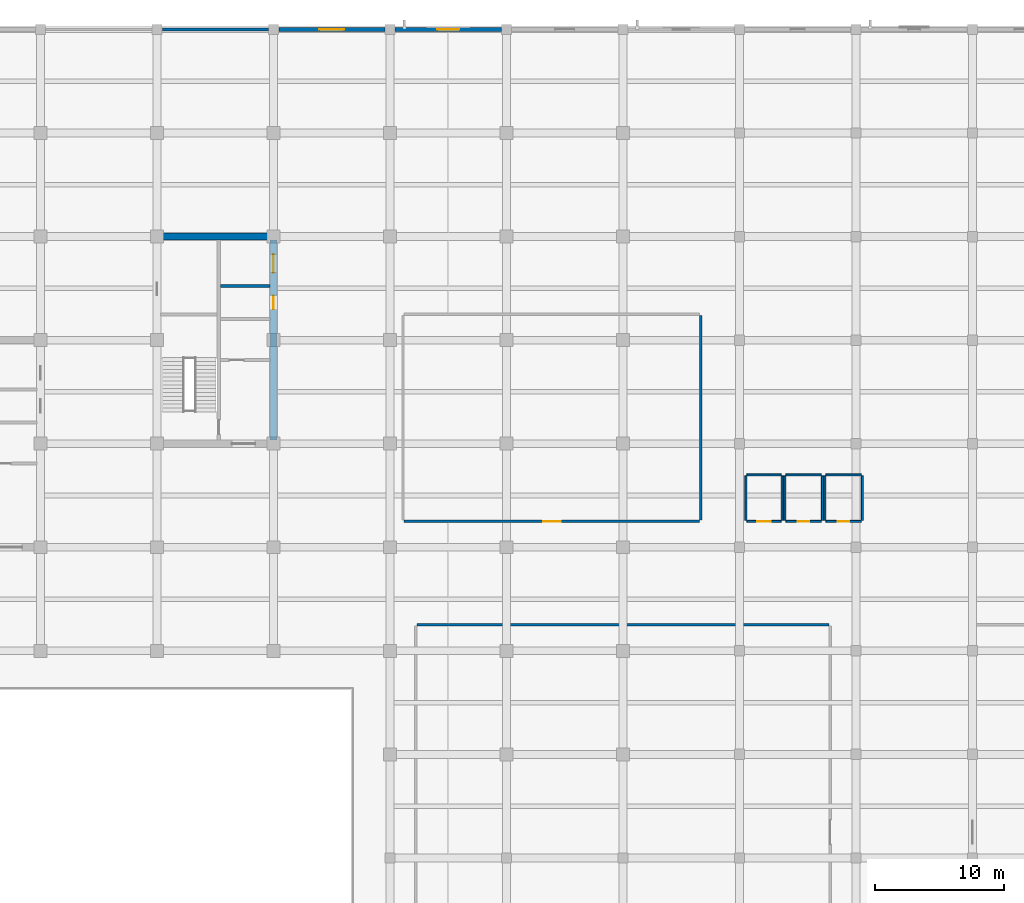
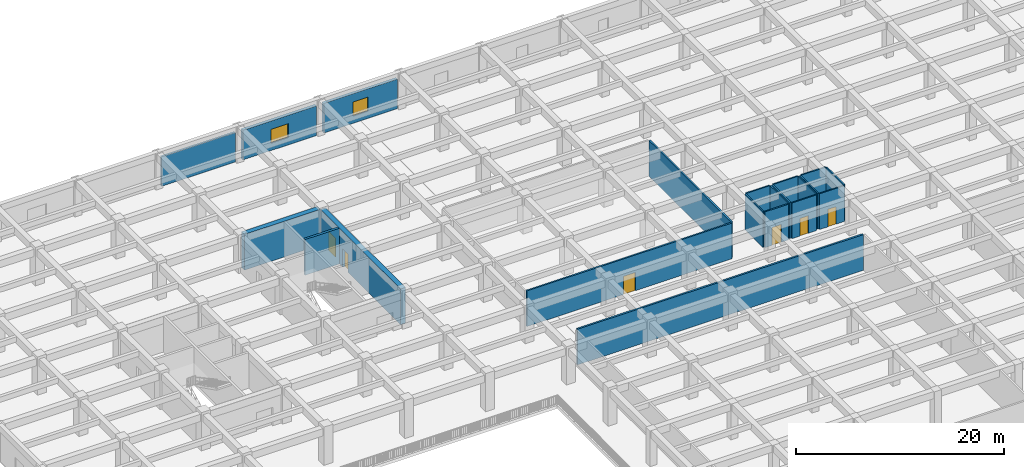
# One storey, part 14 of 32: 21 walls, 6 doors, 2 windows, 8 openings.
"""IFC4 building model written with IfcOpenShell, lengths in metres."""

from ifc_helpers import new_model, si_unit, direction, frame, frame_2d, origin, place, context, subcontext, project, spatial, rectangle, extrude, material, layer, layer_set, type_object, element, fill, save


model = new_model("IFC4")

# Units and contexts
model_context = context("Model", 3, precision=1e-05, world=origin(), true_north=direction((0.0, 1.0)))
body_context = subcontext(model_context, "Body", "Model", "MODEL_VIEW")
ifc_project = project(units=[si_unit("LENGTHUNIT", "METRE"), si_unit("AREAUNIT", "SQUARE_METRE"), si_unit("VOLUMEUNIT", "CUBIC_METRE"), si_unit("PLANEANGLEUNIT", "RADIAN"), si_unit("MASSUNIT", "GRAM", prefix="KILO")], contexts=[model_context])

# Site, building, storey
site_placement = place(None, origin())
site = spatial("IfcSite", under=ifc_project, at=site_placement, CompositionType="ELEMENT")
building_placement = place(site_placement, origin())
building = spatial("IfcBuilding", under=site, at=building_placement, Name="Zaverband Oceanarium and Marine Research Institute", CompositionType="ELEMENT")
storey_placement = place(building_placement, frame((0.0, 0.0, 13.5)))
storey = spatial("IfcBuildingStorey", under=building, at=storey_placement, Name="L03", CompositionType="ELEMENT", Elevation=13.5)

# Walls
ifc_material_1 = material(Name="Concrete C40/50 precast", Category="concrete")
ifc_layer_1 = layer(ifc_material_1, 0.2099609375, Name="Concrete C40/50 precast")
ifc_layer_set_1 = layer_set([ifc_layer_1], Name="Concrete C40/50 precast")
wall_type_1 = type_object("IfcWallType", Name="CLS-210", PredefinedType="ELEMENTEDWALL", material=ifc_layer_set_1)
wall_1_placement = place(storey_placement, frame((36.405029296875, 120.0, 0.0), z_axis=(0.0, 0.0, 1.0), x_axis=(1.0, 0.0, 0.0)))
element("IfcWall", 1, at=wall_1_placement, inside=storey, type_object=wall_type_1, Name="Pierced concrete screen CLS-210", PredefinedType="ELEMENTEDWALL", context=body_context, shape_type="SweptSolid", body=[
    extrude(rectangle(XDim=8.18994140625, YDim=0.2099609375, at=frame_2d((4.094970703125, 0.0))), origin(), (0.0, 0.0, 1.0), 3.47998046875),
])
ifc_material_2 = material(Name="Concrete C50/60", Category="concrete")
ifc_layer_2 = layer(ifc_material_2, 0.550048828125, Name="Concrete C50/60")
ifc_layer_set_2 = layer_set([ifc_layer_2], Name="Concrete C50/60")
wall_type_2 = type_object("IfcWallType", Name="CW-01", PredefinedType="SHEAR", material=ifc_layer_set_2)
wall_2_placement = place(storey_placement, frame((36.27490234375, 104.0, 0.0), z_axis=(0.0, 0.0, 1.0), x_axis=(1.0, 0.0, 0.0)))
element("IfcWall", 2, at=wall_2_placement, inside=storey, type_object=wall_type_2, Name="Structural shear wall CW-01", PredefinedType="SHEAR", context=body_context, shape_type="SweptSolid", body=[
    extrude(rectangle(XDim=8.4501953125, YDim=0.550048828125, at=frame_2d((4.22509765625, 0.0))), origin(), (0.0, 0.0, 1.0), 4.199951171875),
])

# Wall, openings, doors
wall_3_placement = place(storey_placement, frame((45.0, 88.27490234375, 0.0), z_axis=(0.0, 0.0, 1.0), x_axis=(0.0, 1.0, 0.0)))
wall_3 = element("IfcWall", 3, at=wall_3_placement, inside=storey, type_object=wall_type_2, Name="Structural shear wall CW-01", PredefinedType="SHEAR", context=body_context, shape_type="SweptSolid", body=[
    extrude(rectangle(XDim=15.4501953125, YDim=0.550048828125, at=frame_2d((7.72509765625, 0.0))), origin(), (0.0, 0.0, 1.0), 4.199951171875),
])
opening_1_placement = place(wall_3_placement, frame((10.10009765625, 0.0, 0.0)))
opening_1 = element("IfcOpeningElement", 4, at=opening_1_placement, cuts=wall_3, Name="Opening LD-02", PredefinedType="OPENING", context=body_context, shape_type="SweptSolid", body=[
    extrude(rectangle(XDim=1.050048828125, YDim=2.1201171875, at=frame_2d((0.52490234375, 1.06005859375))), frame((0.0, 0.287109375, 0.0), z_axis=(0.0, -1.0, 0.0), x_axis=(1.0, 0.0, 0.0)), (0.0, 0.0, 1.0), 0.573974609375),
])
opening_2_placement = place(wall_3_placement, frame((12.949951171875, 0.0, 0.0)))
opening_2 = element("IfcOpeningElement", 5, at=opening_2_placement, cuts=wall_3, Name="Opening LD-03", PredefinedType="OPENING", context=body_context, shape_type="SweptSolid", body=[
    extrude(rectangle(XDim=1.39990234375, YDim=2.199951171875, at=frame_2d((0.699951171875, 1.10009765625))), frame((0.0, 0.287109375, 0.0), z_axis=(0.0, -1.0, 0.0), x_axis=(1.0, 0.0, 0.0)), (0.0, 0.0, 1.0), 0.573974609375),
])
ifc_material_3 = material(Name="Steel S355", Category="steel")
door_type_1 = type_object("IfcDoorType", Name="LD-02", OperationType="DOUBLE_DOOR_SLIDING", PredefinedType="DOOR", material=ifc_material_3)
door_1_placement = place(opening_1_placement, origin())
door_1 = element("IfcDoor", 6, at=door_1_placement, inside=storey, type_object=door_type_1, Name="Passenger lift sliding landing door LD-02", OperationType="DOUBLE_DOOR_SLIDING", OverallHeight=2.1201171875, OverallWidth=1.050048828125, PredefinedType="DOOR", context=body_context, shape_type="SweptSolid", body=[
    extrude(rectangle(XDim=1.050048828125, YDim=2.1201171875, at=frame_2d((0.52490234375, 1.06005859375))), frame((0.0, 0.02490234375, 0.0), z_axis=(0.0, -1.0, 0.0), x_axis=(1.0, 0.0, 0.0)), (0.0, 0.0, 1.0), 0.050048828125),
])
fill(opening_1, door_1)
door_type_2 = type_object("IfcDoorType", Name="LD-03", OperationType="DOUBLE_DOOR_SLIDING", PredefinedType="DOOR", material=ifc_material_3)
door_2_placement = place(opening_2_placement, origin())
door_2 = element("IfcDoor", 7, at=door_2_placement, inside=storey, type_object=door_type_2, Name="Specimen goods lift sliding landing door LD-03", OperationType="DOUBLE_DOOR_SLIDING", OverallHeight=2.199951171875, OverallWidth=1.39990234375, PredefinedType="DOOR", context=body_context, shape_type="SweptSolid", body=[
    extrude(rectangle(XDim=1.39990234375, YDim=2.199951171875, at=frame_2d((0.699951171875, 1.10009765625))), frame((0.0, 0.02490234375, 0.0), z_axis=(0.0, -1.0, 0.0), x_axis=(1.0, 0.0, 0.0)), (0.0, 0.0, 1.0), 0.050048828125),
])
fill(opening_2, door_2)

# Wall, opening, window
ifc_layer_3 = layer(ifc_material_1, 0.31005859375, Name="Concrete C40/50 precast")
ifc_layer_set_3 = layer_set([ifc_layer_3], Name="Concrete C40/50 precast")
wall_type_3 = type_object("IfcWallType", Name="EW-310", PredefinedType="STANDARD", material=ifc_layer_set_3)
wall_4_placement = place(storey_placement, frame((54.405029296875, 120.0, 0.0), z_axis=(0.0, 0.0, 1.0), x_axis=(1.0, 0.0, 0.0)))
wall_4 = element("IfcWall", 8, at=wall_4_placement, inside=storey, type_object=wall_type_3, Name="Exterior infill wall EW-310", PredefinedType="STANDARD", context=body_context, shape_type="SweptSolid", body=[
    extrude(rectangle(XDim=8.18994140625, YDim=0.31005859375, at=frame_2d((4.094970703125, 0.0))), origin(), (0.0, 0.0, 1.0), 3.47998046875),
])
opening_3_placement = place(wall_4_placement, frame((3.2451171875, 0.0, 0.85009765625)))
opening_3 = element("IfcOpeningElement", 9, at=opening_3_placement, cuts=wall_4, Name="Opening WN-1700x1650", PredefinedType="OPENING", context=body_context, shape_type="SweptSolid", body=[
    extrude(rectangle(XDim=1.699951171875, YDim=1.64990234375, at=frame_2d((0.85009765625, 0.824951171875))), frame((0.0, 0.1669921875, 0.0), z_axis=(0.0, -1.0, 0.0), x_axis=(1.0, 0.0, 0.0)), (0.0, 0.0, 1.0), 0.333984375),
])
ifc_material_4 = material(Name="Thermally broken anodized aluminium and solar-control glass", Category="aluminium")
window_type_1 = type_object("IfcWindowType", Name="WN-1700x1650", PartitioningType="SINGLE_PANEL", PredefinedType="WINDOW", material=ifc_material_4)
window_1_placement = place(opening_3_placement, origin())
window_1 = element("IfcWindow", 10, at=window_1_placement, inside=storey, type_object=window_type_1, Name="Fixed / casement exterior window WN-1700x1650", OverallHeight=1.64990234375, OverallWidth=1.699951171875, PartitioningType="SINGLE_PANEL", PredefinedType="WINDOW", context=body_context, shape_type="SweptSolid", body=[
    extrude(rectangle(XDim=1.699951171875, YDim=1.64990234375, at=frame_2d((0.85009765625, 0.824951171875))), frame((0.0, 0.030029296875, 0.0), z_axis=(0.0, -1.0, 0.0), x_axis=(1.0, 0.0, 0.0)), (0.0, 0.0, 1.0), 0.06005859375),
])
fill(opening_3, window_1)

ifc_layer_4 = layer(ifc_material_1, 0.340087890625, Name="Concrete C40/50 precast")
ifc_layer_set_4 = layer_set([ifc_layer_4], Name="Concrete C40/50 precast")
wall_type_4 = type_object("IfcWallType", Name="EW-340", PredefinedType="STANDARD", material=ifc_layer_set_4)
wall_5_placement = place(storey_placement, frame((45.405029296875, 120.0, 0.0), z_axis=(0.0, 0.0, 1.0), x_axis=(1.0, 0.0, 0.0)))
wall_5 = element("IfcWall", 11, at=wall_5_placement, inside=storey, type_object=wall_type_4, Name="Exterior infill wall EW-340", PredefinedType="STANDARD", context=body_context, shape_type="SweptSolid", body=[
    extrude(rectangle(XDim=8.18994140625, YDim=0.340087890625, at=frame_2d((4.094970703125, 0.0))), origin(), (0.0, 0.0, 1.0), 3.47998046875),
])
opening_4_placement = place(wall_5_placement, frame((3.14501953125, 0.0, 0.85009765625)))
opening_4 = element("IfcOpeningElement", 12, at=opening_4_placement, cuts=wall_5, Name="Opening WN-1900x1650", PredefinedType="OPENING", context=body_context, shape_type="SweptSolid", body=[
    extrude(rectangle(XDim=1.89990234375, YDim=1.64990234375, at=frame_2d((0.949951171875, 0.824951171875))), frame((0.0, 0.18212890625, 0.0), z_axis=(0.0, -1.0, 0.0), x_axis=(1.0, 0.0, 0.0)), (0.0, 0.0, 1.0), 0.364013671875),
])
window_type_2 = type_object("IfcWindowType", Name="WN-1900x1650", PartitioningType="SINGLE_PANEL", PredefinedType="WINDOW", material=ifc_material_4)
window_2_placement = place(opening_4_placement, origin())
window_2 = element("IfcWindow", 13, at=window_2_placement, inside=storey, type_object=window_type_2, Name="Fixed / casement exterior window WN-1900x1650", OverallHeight=1.64990234375, OverallWidth=1.89990234375, PartitioningType="SINGLE_PANEL", PredefinedType="WINDOW", context=body_context, shape_type="SweptSolid", body=[
    extrude(rectangle(XDim=1.89990234375, YDim=1.64990234375, at=frame_2d((0.949951171875, 0.824951171875))), frame((0.0, 0.030029296875, 0.0), z_axis=(0.0, -1.0, 0.0), x_axis=(1.0, 0.0, 0.0)), (0.0, 0.0, 1.0), 0.06005859375),
])
fill(opening_4, window_2)

# Wall, opening, door
ifc_material_5 = material(Name="Ceramic-tiled wet-room blockwork", Category="masonry")
ifc_layer_5 = layer(ifc_material_5, 0.14990234375, Name="Ceramic-tiled wet-room blockwork")
ifc_layer_set_5 = layer_set([ifc_layer_5], Name="Ceramic-tiled wet-room blockwork")
wall_type_5 = type_object("IfcWallType", Name="PT-150-WC", PredefinedType="PARTITIONING", material=ifc_layer_set_5)
wall_6_placement = place(storey_placement, frame((81.574951171875, 82.0, 0.0), z_axis=(0.0, 0.0, 1.0), x_axis=(1.0, 0.0, 0.0)))
wall_6 = element("IfcWall", 14, at=wall_6_placement, inside=storey, type_object=wall_type_5, Name="Internal partition PT-150-WC", PredefinedType="PARTITIONING", context=body_context, shape_type="SweptSolid", body=[
    extrude(rectangle(XDim=2.650146484375, YDim=0.14990234375, at=frame_2d((1.3251953125, 0.0))), origin(), (0.0, 0.0, 1.0), 4.199951171875),
])
opening_5_placement = place(wall_6_placement, frame((0.81494140625, 0.0, 0.0)))
opening_5 = element("IfcOpeningElement", 15, at=opening_5_placement, cuts=wall_6, Name="Opening ID-1020x2100", PredefinedType="OPENING", context=body_context, shape_type="SweptSolid", body=[
    extrude(rectangle(XDim=1.02001953125, YDim=2.10009765625, at=frame_2d((0.510009765625, 1.050048828125))), frame((0.0, 0.0869140625, 0.0), z_axis=(0.0, -1.0, 0.0), x_axis=(1.0, 0.0, 0.0)), (0.0, 0.0, 1.0), 0.173828125),
])
ifc_material_6 = material(Name="Hardwood-veneered acoustic timber", Category="wood")
door_type_3 = type_object("IfcDoorType", Name="ID-1020x2100", OperationType="NOTDEFINED", PredefinedType="DOOR", material=ifc_material_6)
door_3_placement = place(opening_5_placement, frame((1.02001953125, 0.0, 0.0), z_axis=(0.0, 0.0, 1.0), x_axis=(-1.0, 0.0, 0.0)))
door_3 = element("IfcDoor", 16, at=door_3_placement, inside=storey, type_object=door_type_3, Name="Accessible WC outward-swing door ID-1020x2100", OperationType="SINGLE_SWING_LEFT", OverallHeight=2.10009765625, OverallWidth=1.02001953125, PredefinedType="DOOR", context=body_context, shape_type="SweptSolid", body=[
    extrude(rectangle(XDim=1.02001953125, YDim=2.10009765625, at=frame_2d((0.510009765625, 1.050048828125))), frame((0.0, 0.02490234375, 0.0), z_axis=(0.0, -1.0, 0.0), x_axis=(1.0, 0.0, 0.0)), (0.0, 0.0, 1.0), 0.050048828125),
])
fill(opening_5, door_3)

# Walls
wall_7_placement = place(storey_placement, frame((81.574951171875, 85.60009765625, 0.0), z_axis=(0.0, 0.0, 1.0), x_axis=(1.0, 0.0, 0.0)))
element("IfcWall", 17, at=wall_7_placement, inside=storey, type_object=wall_type_5, Name="Internal partition PT-150-WC", PredefinedType="PARTITIONING", context=body_context, shape_type="SweptSolid", body=[
    extrude(rectangle(XDim=2.650146484375, YDim=0.14990234375, at=frame_2d((1.3251953125, 0.0))), origin(), (0.0, 0.0, 1.0), 4.199951171875),
])
for number, where, z_axis, x_axis, name in (
    (18, (81.5, 82.074951171875, 0.0), (0.0, 0.0, 1.0), (0.0, 1.0, 0.0), "Internal partition PT-150-WC"),
    (19, (84.300048828125, 82.074951171875, 0.0), (0.0, 0.0, 1.0), (0.0, 1.0, 0.0), "Internal partition PT-150-WC"),
):
    element("IfcWall", number, at=place(storey_placement, frame(where, z_axis=z_axis, x_axis=x_axis)), inside=storey, type_object=wall_type_5, Name=name, PredefinedType="PARTITIONING", context=body_context, shape_type="SweptSolid", body=[
        extrude(rectangle(XDim=3.449951171875, YDim=0.14990234375, at=frame_2d((1.72509765625, 0.0))), origin(), (0.0, 0.0, 1.0), 4.199951171875),
    ])

# Wall, opening, door
wall_8_placement = place(storey_placement, frame((84.574951171875, 82.0, 0.0), z_axis=(0.0, 0.0, 1.0), x_axis=(1.0, 0.0, 0.0)))
wall_8 = element("IfcWall", 20, at=wall_8_placement, inside=storey, type_object=wall_type_5, Name="Internal partition PT-150-WC", PredefinedType="PARTITIONING", context=body_context, shape_type="SweptSolid", body=[
    extrude(rectangle(XDim=2.75, YDim=0.14990234375, at=frame_2d((1.375, 0.0))), origin(), (0.0, 0.0, 1.0), 4.199951171875),
])
opening_6_placement = place(wall_8_placement, frame((0.919921875, 0.0, 0.0)))
opening_6 = element("IfcOpeningElement", 21, at=opening_6_placement, cuts=wall_8, Name="Opening ID-910x2080", PredefinedType="OPENING", context=body_context, shape_type="SweptSolid", body=[
    extrude(rectangle(XDim=0.909912109375, YDim=2.080078125, at=frame_2d((0.455078125, 1.0400390625))), frame((0.0, 0.0869140625, 0.0), z_axis=(0.0, -1.0, 0.0), x_axis=(1.0, 0.0, 0.0)), (0.0, 0.0, 1.0), 0.173828125),
])
door_type_4 = type_object("IfcDoorType", Name="ID-910x2080", OperationType="NOTDEFINED", PredefinedType="DOOR", material=ifc_material_6)
door_4_placement = place(opening_6_placement, origin())
door_4 = element("IfcDoor", 22, at=door_4_placement, inside=storey, type_object=door_type_4, Name="Sanitary washroom entrance door ID-910x2080", OperationType="SINGLE_SWING_RIGHT", OverallHeight=2.080078125, OverallWidth=0.909912109375, PredefinedType="DOOR", context=body_context, shape_type="SweptSolid", body=[
    extrude(rectangle(XDim=0.909912109375, YDim=2.080078125, at=frame_2d((0.455078125, 1.0400390625))), frame((0.0, 0.02490234375, 0.0), z_axis=(0.0, -1.0, 0.0), x_axis=(1.0, 0.0, 0.0)), (0.0, 0.0, 1.0), 0.050048828125),
])
fill(opening_6, door_4)

# Walls
wall_9_placement = place(storey_placement, frame((84.574951171875, 85.60009765625, 0.0), z_axis=(0.0, 0.0, 1.0), x_axis=(1.0, 0.0, 0.0)))
element("IfcWall", 23, at=wall_9_placement, inside=storey, type_object=wall_type_5, Name="Internal partition PT-150-WC", PredefinedType="PARTITIONING", context=body_context, shape_type="SweptSolid", body=[
    extrude(rectangle(XDim=2.75, YDim=0.14990234375, at=frame_2d((1.375, 0.0))), origin(), (0.0, 0.0, 1.0), 4.199951171875),
])
for number, where, z_axis, x_axis, name in (
    (24, (84.5, 82.074951171875, 0.0), (0.0, 0.0, 1.0), (0.0, 1.0, 0.0), "Internal partition PT-150-WC"),
    (25, (87.39990234375, 82.074951171875, 0.0), (0.0, 0.0, 1.0), (0.0, 1.0, 0.0), "Internal partition PT-150-WC"),
):
    element("IfcWall", number, at=place(storey_placement, frame(where, z_axis=z_axis, x_axis=x_axis)), inside=storey, type_object=wall_type_5, Name=name, PredefinedType="PARTITIONING", context=body_context, shape_type="SweptSolid", body=[
        extrude(rectangle(XDim=3.449951171875, YDim=0.14990234375, at=frame_2d((1.72509765625, 0.0))), origin(), (0.0, 0.0, 1.0), 4.199951171875),
    ])

# Wall, opening, door
wall_10_placement = place(storey_placement, frame((87.675048828125, 82.0, 0.0), z_axis=(0.0, 0.0, 1.0), x_axis=(1.0, 0.0, 0.0)))
wall_10 = element("IfcWall", 26, at=wall_10_placement, inside=storey, type_object=wall_type_5, Name="Internal partition PT-150-WC", PredefinedType="PARTITIONING", context=body_context, shape_type="SweptSolid", body=[
    extrude(rectangle(XDim=2.75, YDim=0.14990234375, at=frame_2d((1.375, 0.0))), origin(), (0.0, 0.0, 1.0), 4.199951171875),
])
opening_7_placement = place(wall_10_placement, frame((0.929931640625, 0.0, 0.0)))
opening_7 = element("IfcOpeningElement", 27, at=opening_7_placement, cuts=wall_10, Name="Opening ID-890x2060", PredefinedType="OPENING", context=body_context, shape_type="SweptSolid", body=[
    extrude(rectangle(XDim=0.889892578125, YDim=2.06005859375, at=frame_2d((0.44482421875, 1.030029296875))), frame((0.0, 0.0869140625, 0.0), z_axis=(0.0, -1.0, 0.0), x_axis=(1.0, 0.0, 0.0)), (0.0, 0.0, 1.0), 0.173828125),
])
door_type_5 = type_object("IfcDoorType", Name="ID-890x2060", OperationType="NOTDEFINED", PredefinedType="DOOR", material=ifc_material_6)
door_5_placement = place(opening_7_placement, origin())
door_5 = element("IfcDoor", 28, at=door_5_placement, inside=storey, type_object=door_type_5, Name="Staff WC door ID-890x2060", OperationType="SINGLE_SWING_LEFT", OverallHeight=2.06005859375, OverallWidth=0.889892578125, PredefinedType="DOOR", context=body_context, shape_type="SweptSolid", body=[
    extrude(rectangle(XDim=0.889892578125, YDim=2.06005859375, at=frame_2d((0.44482421875, 1.030029296875))), frame((0.0, 0.02490234375, 0.0), z_axis=(0.0, -1.0, 0.0), x_axis=(1.0, 0.0, 0.0)), (0.0, 0.0, 1.0), 0.050048828125),
])
fill(opening_7, door_5)

# Walls
wall_11_placement = place(storey_placement, frame((87.675048828125, 85.60009765625, 0.0), z_axis=(0.0, 0.0, 1.0), x_axis=(1.0, 0.0, 0.0)))
element("IfcWall", 29, at=wall_11_placement, inside=storey, type_object=wall_type_5, Name="Internal partition PT-150-WC", PredefinedType="PARTITIONING", context=body_context, shape_type="SweptSolid", body=[
    extrude(rectangle(XDim=2.75, YDim=0.14990234375, at=frame_2d((1.375, 0.0))), origin(), (0.0, 0.0, 1.0), 4.199951171875),
])
for number, where, z_axis, x_axis, name in (
    (30, (87.60009765625, 82.074951171875, 0.0), (0.0, 0.0, 1.0), (0.0, 1.0, 0.0), "Internal partition PT-150-WC"),
    (31, (90.5, 82.074951171875, 0.0), (0.0, 0.0, 1.0), (0.0, 1.0, 0.0), "Internal partition PT-150-WC"),
):
    element("IfcWall", number, at=place(storey_placement, frame(where, z_axis=z_axis, x_axis=x_axis)), inside=storey, type_object=wall_type_5, Name=name, PredefinedType="PARTITIONING", context=body_context, shape_type="SweptSolid", body=[
        extrude(rectangle(XDim=3.449951171875, YDim=0.14990234375, at=frame_2d((1.72509765625, 0.0))), origin(), (0.0, 0.0, 1.0), 4.199951171875),
    ])

# Wall, opening, door
ifc_material_7 = material(Name="Moisture-resistant laboratory blockwork", Category="masonry")
ifc_layer_6 = layer(ifc_material_7, 0.179931640625, Name="Moisture-resistant laboratory blockwork")
ifc_layer_set_6 = layer_set([ifc_layer_6], Name="Moisture-resistant laboratory blockwork")
wall_type_6 = type_object("IfcWallType", Name="PT-180-LB", PredefinedType="PARTITIONING", material=ifc_layer_set_6)
wall_12_placement = place(storey_placement, frame((55.090087890625, 82.0, 0.0), z_axis=(0.0, 0.0, 1.0), x_axis=(1.0, 0.0, 0.0)))
wall_12 = element("IfcWall", 32, at=wall_12_placement, inside=storey, type_object=wall_type_6, Name="Internal partition PT-180-LB", PredefinedType="PARTITIONING", context=body_context, shape_type="SweptSolid", body=[
    extrude(rectangle(XDim=22.81982421875, YDim=0.179931640625, at=frame_2d((11.409912109375, 0.0))), origin(), (0.0, 0.0, 1.0), 4.199951171875),
])
opening_8_placement = place(wall_12_placement, frame((10.735107421875, 0.0, 0.0)))
opening_8 = element("IfcOpeningElement", 33, at=opening_8_placement, cuts=wall_12, Name="Opening ID-1350x2140", PredefinedType="OPENING", context=body_context, shape_type="SweptSolid", body=[
    extrude(rectangle(XDim=1.35009765625, YDim=2.139892578125, at=frame_2d((0.675048828125, 1.06982421875))), frame((0.0, 0.10205078125, 0.0), z_axis=(0.0, -1.0, 0.0), x_axis=(1.0, 0.0, 0.0)), (0.0, 0.0, 1.0), 0.203857421875),
])
door_type_6 = type_object("IfcDoorType", Name="ID-1350x2140", OperationType="NOTDEFINED", PredefinedType="DOOR", material=ifc_material_6)
door_6_placement = place(opening_8_placement, origin())
door_6 = element("IfcDoor", 34, at=door_6_placement, inside=storey, type_object=door_type_6, Name="Oceanography laboratory equipment door ID-1350x2140", OperationType="SINGLE_SWING_RIGHT", OverallHeight=2.139892578125, OverallWidth=1.35009765625, PredefinedType="DOOR", context=body_context, shape_type="SweptSolid", body=[
    extrude(rectangle(XDim=1.35009765625, YDim=2.139892578125, at=frame_2d((0.675048828125, 1.06982421875))), frame((0.0, 0.02490234375, 0.0), z_axis=(0.0, -1.0, 0.0), x_axis=(1.0, 0.0, 0.0)), (0.0, 0.0, 1.0), 0.050048828125),
])
fill(opening_8, door_6)

# Walls
wall_13_placement = place(storey_placement, frame((78.0, 82.090087890625, 0.0), z_axis=(0.0, 0.0, 1.0), x_axis=(0.0, 1.0, 0.0)))
element("IfcWall", 35, at=wall_13_placement, inside=storey, type_object=wall_type_6, Name="Internal partition PT-180-LB", PredefinedType="PARTITIONING", context=body_context, shape_type="SweptSolid", body=[
    extrude(rectangle(XDim=15.81982421875, YDim=0.179931640625, at=frame_2d((7.909912109375, 0.0))), origin(), (0.0, 0.0, 1.0), 4.199951171875),
])
ifc_material_8 = material(Name="Fire-rated masonry compartment wall", Category="masonry")
ifc_layer_7 = layer(ifc_material_8, 0.199951171875, Name="Fire-rated masonry compartment wall")
ifc_layer_set_7 = layer_set([ifc_layer_7], Name="Fire-rated masonry compartment wall")
wall_type_7 = type_object("IfcWallType", Name="PT-200-FR", PredefinedType="PARTITIONING", material=ifc_layer_set_7)
wall_14_placement = place(storey_placement, frame((56.10009765625, 74.0, 0.0), z_axis=(0.0, 0.0, 1.0), x_axis=(1.0, 0.0, 0.0)))
element("IfcWall", 36, at=wall_14_placement, inside=storey, type_object=wall_type_7, Name="Internal partition PT-200-FR", PredefinedType="PARTITIONING", context=body_context, shape_type="SweptSolid", body=[
    extrude(rectangle(XDim=31.7998046875, YDim=0.199951171875, at=frame_2d((15.89990234375, 0.0))), origin(), (0.0, 0.0, 1.0), 4.199951171875),
])
ifc_layer_8 = layer(ifc_material_2, 0.25, Name="Concrete C50/60")
ifc_layer_set_8 = layer_set([ifc_layer_8], Name="Concrete C50/60")
wall_type_8 = type_object("IfcWallType", Name="PW-CORE-250", PredefinedType="SOLIDWALL", material=ifc_layer_set_8)
wall_15_placement = place(storey_placement, frame((40.905029296875, 100.179931640625, 0.0), z_axis=(0.0, 0.0, 1.0), x_axis=(1.0, 0.0, 0.0)))
element("IfcWall", 37, at=wall_15_placement, inside=storey, type_object=wall_type_8, Name="Structural concrete wall PW-CORE-250", PredefinedType="SOLIDWALL", context=body_context, shape_type="SweptSolid", body=[
    extrude(rectangle(XDim=3.820068359375, YDim=0.25, at=frame_2d((1.91015625, 0.0))), origin(), (0.0, 0.0, 1.0), 4.199951171875),
])

save(model, "model.ifc")
